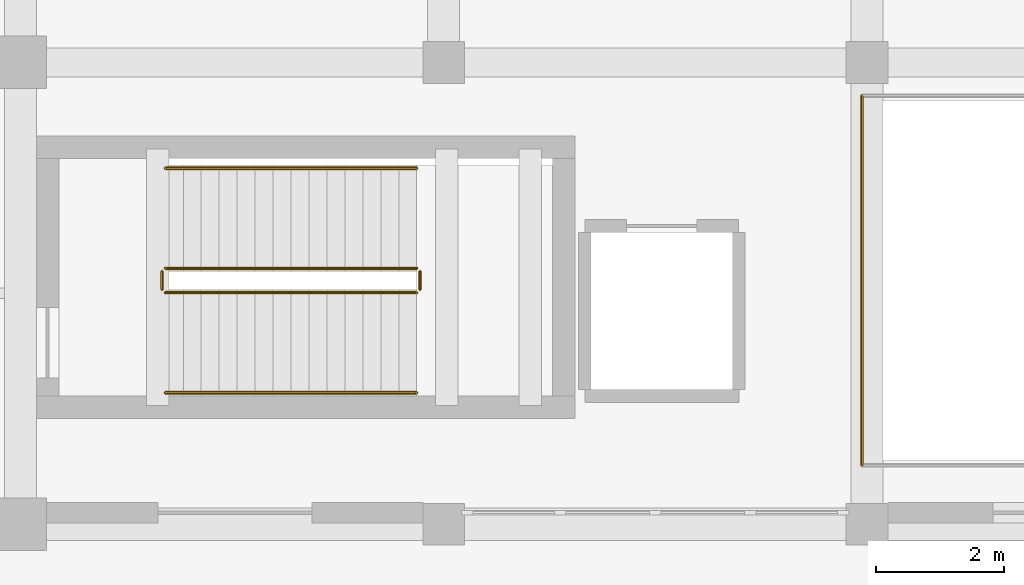
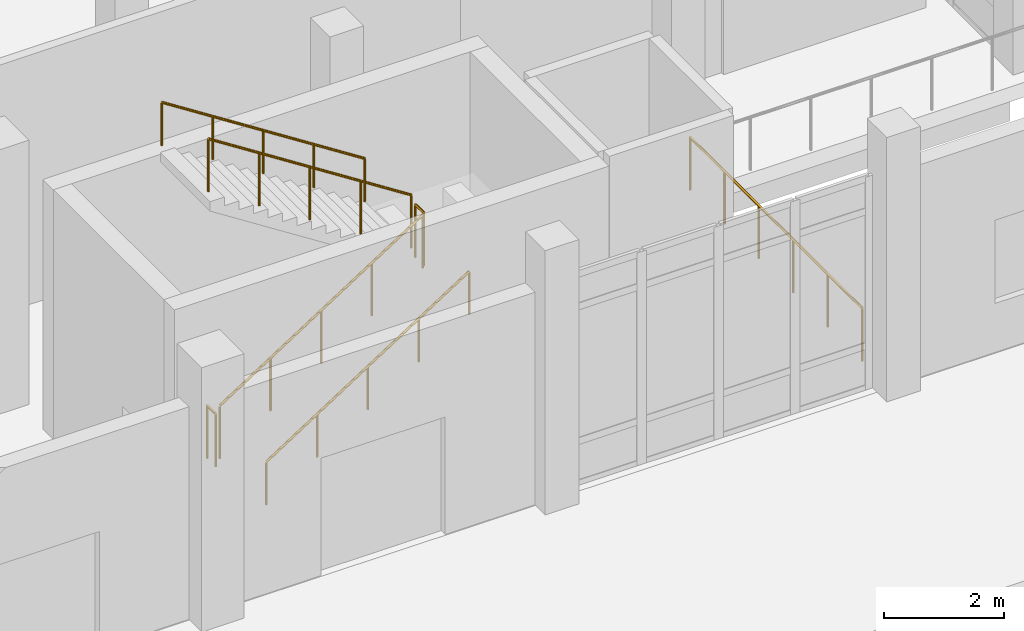
# One storey, part 71 of 79: 7 railings.
"""IFC4 building model written with IfcOpenShell, lengths in metres."""

from ifc_helpers import new_model, si_unit, direction, frame, origin, origin_2d, place, context, subcontext, project, spatial, circle, extrude, material, type_object, element, save


model = new_model("IFC4")

# Units and contexts
model_context = context("Model", 3, precision=1e-05, world=origin(), true_north=direction((0.0, 1.0)))
body_context = subcontext(model_context, "Body", "Model", "MODEL_VIEW")
ifc_project = project(units=[si_unit("LENGTHUNIT", "METRE"), si_unit("AREAUNIT", "SQUARE_METRE"), si_unit("VOLUMEUNIT", "CUBIC_METRE"), si_unit("PLANEANGLEUNIT", "RADIAN"), si_unit("MASSUNIT", "GRAM", prefix="KILO")], contexts=[model_context])

# Site, building, storey
site_placement = place(None, origin())
site = spatial("IfcSite", under=ifc_project, at=site_placement, CompositionType="ELEMENT")
building_placement = place(site_placement, origin())
building = spatial("IfcBuilding", under=site, at=building_placement, Name="Kelarvand Opera House", CompositionType="ELEMENT")
storey_placement = place(building_placement, origin())
storey = spatial("IfcBuildingStorey", under=building, at=storey_placement, Name="L00", CompositionType="ELEMENT", Elevation=0.0)

# Railings
ifc_material_1 = material(Name="Brushed bronze tubular rail")
railing_type_1 = type_object("IfcRailingType", Name="Brushed Bronze Stair Wall Handrail 900", PredefinedType="HANDRAIL", material=ifc_material_1)
railing_1_placement = place(storey_placement, frame((117.659912109375, 11.050048828125, 0.179931640625)))
element("IfcRailing", 1, at=railing_1_placement, inside=storey, type_object=railing_type_1, Name="L00 ST-08 stair handrail 1", PredefinedType="HANDRAIL", context=body_context, shape_type="SweptSolid", body=[
    extrude(circle(Radius=0.02392578125, at=origin_2d()), frame((0.0, 0.0, 0.8759765625), z_axis=(0.841186985886, 0.0, 0.540744352514), x_axis=(0.0, 1.0, 0.0)), (0.0, 0.0, 1.0), 4.660400390625),
    extrude(circle(Radius=0.02099609375, at=origin_2d()), origin(), (0.0, 0.0, 1.0), 0.851806640625),
    extrude(circle(Radius=0.02099609375, at=origin_2d()), frame((0.97998046875, 0.0, 0.6298828125)), (0.0, 0.0, 1.0), 0.851806640625),
    extrude(circle(Radius=0.02099609375, at=origin_2d()), frame((1.9599609375, 0.0, 1.260009765625)), (0.0, 0.0, 1.0), 0.851806640625),
    extrude(circle(Radius=0.02099609375, at=origin_2d()), frame((2.940185546875, 0.0, 1.89013671875)), (0.0, 0.0, 1.0), 0.851806640625),
    extrude(circle(Radius=0.02099609375, at=origin_2d()), frame((3.920166015625, 0.0, 2.52001953125)), (0.0, 0.0, 1.0), 0.851806640625),
])
railing_2_placement = place(storey_placement, frame((121.580078125, 14.550048828125, 2.8798828125)))
element("IfcRailing", 2, at=railing_2_placement, inside=storey, type_object=railing_type_1, Name="L00 ST-08 stair handrail 2", PredefinedType="HANDRAIL", context=body_context, shape_type="SweptSolid", body=[
    extrude(circle(Radius=0.02392578125, at=origin_2d()), frame((0.0, 0.0, 0.8759765625), z_axis=(-0.841186985886, 0.0, 0.540744352514), x_axis=(0.0, -1.0, 0.0)), (0.0, 0.0, 1.0), 4.660400390625),
    extrude(circle(Radius=0.02099609375, at=origin_2d()), origin(), (0.0, 0.0, 1.0), 0.851806640625),
    extrude(circle(Radius=0.02099609375, at=origin_2d()), frame((-0.97998046875, 0.0, 0.6298828125)), (0.0, 0.0, 1.0), 0.851806640625),
    extrude(circle(Radius=0.02099609375, at=origin_2d()), frame((-1.9599609375, 0.0, 1.260009765625)), (0.0, 0.0, 1.0), 0.851806640625),
    extrude(circle(Radius=0.02099609375, at=origin_2d()), frame((-2.940185546875, 0.0, 1.89013671875)), (0.0, 0.0, 1.0), 0.851806640625),
    extrude(circle(Radius=0.02099609375, at=origin_2d()), frame((-3.920166015625, 0.0, 2.52001953125)), (0.0, 0.0, 1.0), 0.851806640625),
])
ifc_material_2 = material(Name="Powder-coated Steel S355", Category="steel")
railing_type_2 = type_object("IfcRailingType", Name="Painted Steel Stair and Void Guardrail 1100", PredefinedType="GUARDRAIL", material=ifc_material_2)
railing_3_placement = place(storey_placement, frame((117.659912109375, 12.610107421875, 0.179931640625)))
element("IfcRailing", 3, at=railing_3_placement, inside=storey, type_object=railing_type_2, Name="L00 ST-08 stair guard 1", PredefinedType="GUARDRAIL", context=body_context, shape_type="SweptSolid", body=[
    extrude(circle(Radius=0.02392578125, at=origin_2d()), frame((0.0, 0.0, 1.076171875), z_axis=(0.841186985886, 0.0, 0.540744352514), x_axis=(0.0, 1.0, 0.0)), (0.0, 0.0, 1.0), 4.660400390625),
    extrude(circle(Radius=0.02099609375, at=origin_2d()), origin(), (0.0, 0.0, 1.0), 1.052001953125),
    extrude(circle(Radius=0.02099609375, at=origin_2d()), frame((0.97998046875, 0.0, 0.6298828125)), (0.0, 0.0, 1.0), 1.052001953125),
    extrude(circle(Radius=0.02099609375, at=origin_2d()), frame((1.9599609375, 0.0, 1.260009765625)), (0.0, 0.0, 1.0), 1.052001953125),
    extrude(circle(Radius=0.02099609375, at=origin_2d()), frame((2.940185546875, 0.0, 1.89013671875)), (0.0, 0.0, 1.0), 1.052001953125),
    extrude(circle(Radius=0.02099609375, at=origin_2d()), frame((3.920166015625, 0.0, 2.52001953125)), (0.0, 0.0, 1.0), 1.052001953125),
])
railing_4_placement = place(storey_placement, frame((121.6298828125, 12.659912109375, 2.699951171875)))
element("IfcRailing", 4, at=railing_4_placement, inside=storey, type_object=railing_type_2, Name="L00 ST-08 stair guard 2", PredefinedType="GUARDRAIL", context=body_context, shape_type="SweptSolid", body=[
    extrude(circle(Radius=0.02392578125, at=origin_2d()), frame((0.0, 0.0, 1.076171875), z_axis=(0.0, 1.0, 0.0), x_axis=(-1.0, 0.0, 0.0)), (0.0, 0.0, 1.0), 0.280029296875),
    extrude(circle(Radius=0.02099609375, at=origin_2d()), origin(), (0.0, 0.0, 1.0), 1.052001953125),
    extrude(circle(Radius=0.02099609375, at=origin_2d()), frame((0.0, 0.280029296875, 0.0)), (0.0, 0.0, 1.0), 1.052001953125),
])
railing_5_placement = place(storey_placement, frame((121.580078125, 12.989990234375, 2.8798828125)))
element("IfcRailing", 5, at=railing_5_placement, inside=storey, type_object=railing_type_2, Name="L00 ST-08 stair guard 3", PredefinedType="GUARDRAIL", context=body_context, shape_type="SweptSolid", body=[
    extrude(circle(Radius=0.02392578125, at=origin_2d()), frame((0.0, 0.0, 1.076171875), z_axis=(-0.841186985886, 0.0, 0.540744352514), x_axis=(0.0, -1.0, 0.0)), (0.0, 0.0, 1.0), 4.660400390625),
    extrude(circle(Radius=0.02099609375, at=origin_2d()), origin(), (0.0, 0.0, 1.0), 1.052001953125),
    extrude(circle(Radius=0.02099609375, at=origin_2d()), frame((-0.97998046875, 0.0, 0.6298828125)), (0.0, 0.0, 1.0), 1.052001953125),
    extrude(circle(Radius=0.02099609375, at=origin_2d()), frame((-1.9599609375, 0.0, 1.260009765625)), (0.0, 0.0, 1.0), 1.052001953125),
    extrude(circle(Radius=0.02099609375, at=origin_2d()), frame((-2.940185546875, 0.0, 1.89013671875)), (0.0, 0.0, 1.0), 1.052001953125),
    extrude(circle(Radius=0.02099609375, at=origin_2d()), frame((-3.920166015625, 0.0, 2.52001953125)), (0.0, 0.0, 1.0), 1.052001953125),
])
railing_6_placement = place(storey_placement, frame((117.610107421875, 12.659912109375, 0.0)))
element("IfcRailing", 6, at=railing_6_placement, inside=storey, type_object=railing_type_2, Name="L00 ST-08 stair guard 4", PredefinedType="GUARDRAIL", context=body_context, shape_type="SweptSolid", body=[
    extrude(circle(Radius=0.02392578125, at=origin_2d()), frame((0.0, 0.0, 1.076171875), z_axis=(0.0, 1.0, 0.0), x_axis=(-1.0, 0.0, 0.0)), (0.0, 0.0, 1.0), 0.280029296875),
    extrude(circle(Radius=0.02099609375, at=origin_2d()), origin(), (0.0, 0.0, 1.0), 1.052001953125),
    extrude(circle(Radius=0.02099609375, at=origin_2d()), frame((0.0, 0.280029296875, 0.0)), (0.0, 0.0, 1.0), 1.052001953125),
])
railing_7_placement = place(storey_placement, frame((128.52001953125, 9.919921875, 0.0)))
element("IfcRailing", 7, at=railing_7_placement, inside=storey, type_object=railing_type_2, Name="V6 L00 Guardrail 17", PredefinedType="GUARDRAIL", context=body_context, shape_type="SweptSolid", body=[
    extrude(circle(Radius=0.02392578125, at=origin_2d()), frame((0.0, 0.0, 1.076171875), z_axis=(0.0, 1.0, 0.0), x_axis=(-1.0, 0.0, 0.0)), (0.0, 0.0, 1.0), 5.760009765625),
    extrude(circle(Radius=0.02099609375, at=origin_2d()), origin(), (0.0, 0.0, 1.0), 1.052001953125),
    extrude(circle(Radius=0.02099609375, at=origin_2d()), frame((0.0, 1.152099609375, 0.0)), (0.0, 0.0, 1.0), 1.052001953125),
    extrude(circle(Radius=0.02099609375, at=origin_2d()), frame((0.0, 2.303955078125, 0.0)), (0.0, 0.0, 1.0), 1.052001953125),
    extrude(circle(Radius=0.02099609375, at=origin_2d()), frame((0.0, 3.4560546875, 0.0)), (0.0, 0.0, 1.0), 1.052001953125),
    extrude(circle(Radius=0.02099609375, at=origin_2d()), frame((0.0, 4.60791015625, 0.0)), (0.0, 0.0, 1.0), 1.052001953125),
    extrude(circle(Radius=0.02099609375, at=origin_2d()), frame((0.0, 5.760009765625, 0.0)), (0.0, 0.0, 1.0), 1.052001953125),
])

save(model, "model.ifc")
